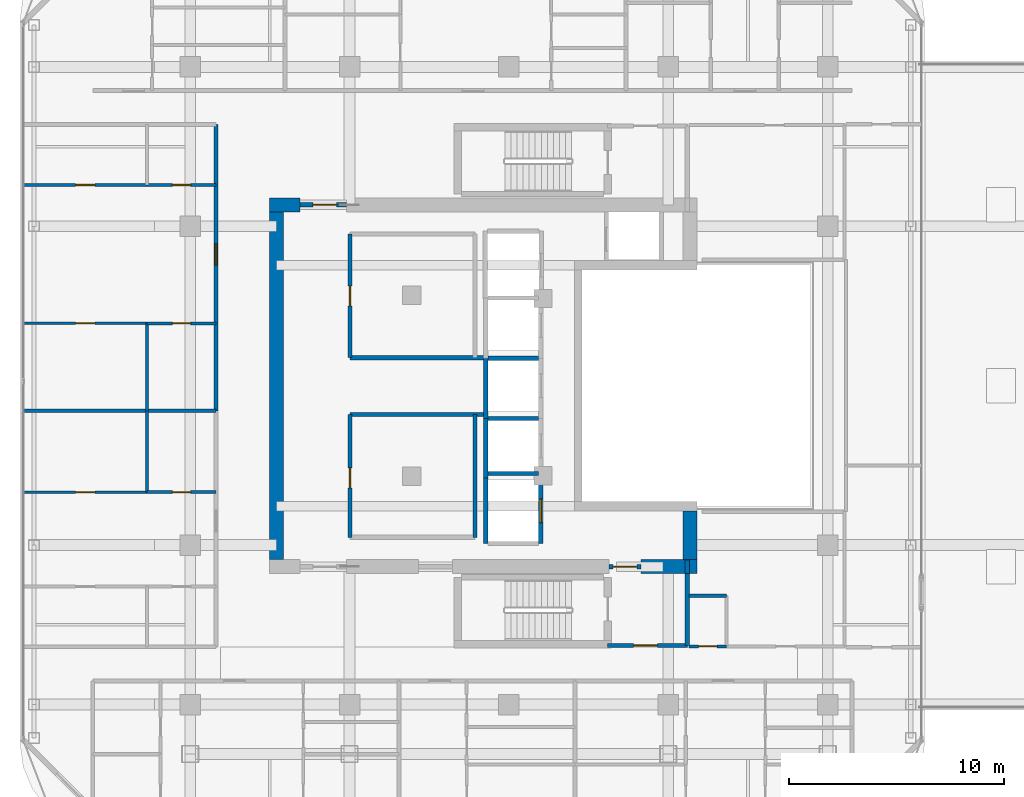
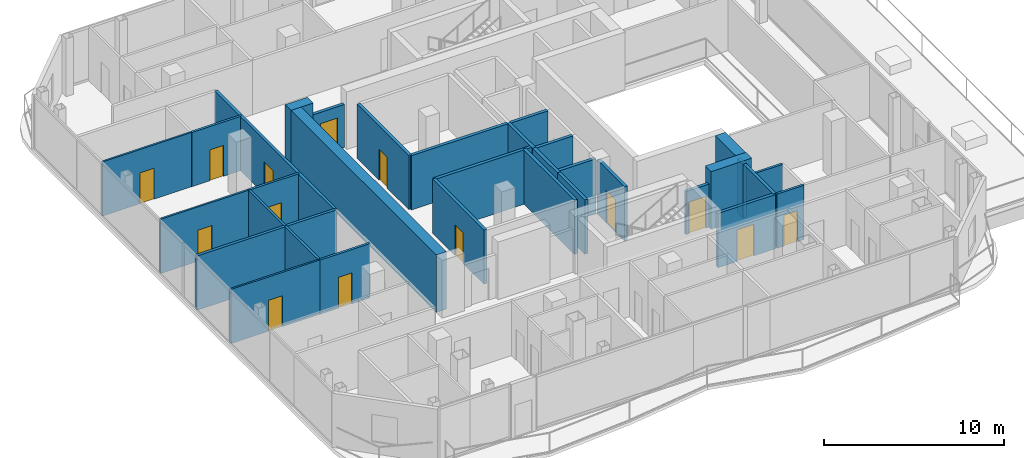
# One storey, part 18 of 24: 33 walls, 14 doors, 14 openings.
"""IFC4 building model written with IfcOpenShell, lengths in metres."""

from ifc_helpers import new_model, si_unit, direction, frame, frame_2d, origin, place, context, subcontext, project, spatial, rectangle, extrude, material, layer, layer_set, type_object, element, fill, save


model = new_model("IFC4")

# Units and contexts
model_context = context("Model", 3, precision=1e-05, world=origin(), true_north=direction((0.0, 1.0)))
body_context = subcontext(model_context, "Body", "Model", "MODEL_VIEW")
ifc_project = project(units=[si_unit("LENGTHUNIT", "METRE"), si_unit("AREAUNIT", "SQUARE_METRE"), si_unit("VOLUMEUNIT", "CUBIC_METRE"), si_unit("PLANEANGLEUNIT", "RADIAN"), si_unit("MASSUNIT", "GRAM", prefix="KILO")], contexts=[model_context])

# Site, building, storey
site_placement = place(None, origin())
site = spatial("IfcSite", under=ifc_project, at=site_placement, CompositionType="ELEMENT")
building_placement = place(site_placement, origin())
building = spatial("IfcBuilding", under=site, at=building_placement, Name="Khorvyn Point Tower", CompositionType="ELEMENT")
storey_placement = place(building_placement, frame((0.0, 0.0, 285.89990234375)))
storey = spatial("IfcBuildingStorey", under=building, at=storey_placement, Name="L70", CompositionType="ELEMENT", Elevation=285.89990234375)

# Wall, opening, door
ifc_material_1 = material(Name="Double acoustic gypsum on twin steel stud", Category="steel")
ifc_layer_1 = layer(ifc_material_1, 0.179931640625)
ifc_layer_set_1 = layer_set([ifc_layer_1], Name="Acoustic Double-Stud Apartment Demising Wall 180")
wall_type_1 = type_object("IfcWallType", Name="Acoustic Double-Stud Apartment Demising Wall 180", PredefinedType="PARTITIONING", material=ifc_layer_set_1)
wall_1_placement = place(storey_placement, frame((-13.60009765625, -1.1640625, 0.0), z_axis=(0.0, 0.0, 1.0), x_axis=(0.0, 1.0, 0.0)))
wall_1 = element("IfcWall", 1, at=wall_1_placement, inside=storey, type_object=wall_type_1, Name="Wall", PredefinedType="PARTITIONING", context=body_context, shape_type="SweptSolid", body=[
    extrude(rectangle(XDim=13.2841796875, YDim=0.179931640625, at=frame_2d((6.64208984375, 0.0))), origin(), (0.0, 0.0, 1.0), 3.68017578125),
])
opening_1_placement = place(wall_1_placement, frame((6.76708984375, 0.0, 0.0)))
opening_1 = element("IfcOpeningElement", 2, at=opening_1_placement, cuts=wall_1, Name="Opening ID-AP60", PredefinedType="OPENING", context=body_context, shape_type="SweptSolid", body=[
    extrude(rectangle(XDim=1.0, YDim=2.199951171875, at=frame_2d((0.5, 1.10009765625))), frame((0.0, 0.099853515625, 0.0), z_axis=(0.0, -1.0, 0.0), x_axis=(1.0, 0.0, 0.0)), (0.0, 0.0, 1.0), 0.199951171875),
])
ifc_material_2 = material(Name="Engineered hardwood fire-rated leaf", Category="wood")
door_type_1 = type_object("IfcDoorType", Name="Acoustic Solid-Core Timber Apartment Entrance Door 1000x2200", OperationType="NOTDEFINED", PredefinedType="DOOR", material=ifc_material_2)
door_1_placement = place(opening_1_placement, origin())
door_1 = element("IfcDoor", 3, at=door_1_placement, inside=storey, type_object=door_type_1, Name="Door", OperationType="SINGLE_SWING_LEFT", OverallHeight=2.199951171875, OverallWidth=1.0, PredefinedType="DOOR", context=body_context, shape_type="SweptSolid", body=[
    extrude(rectangle(XDim=1.0, YDim=2.199951171875, at=frame_2d((0.5, 1.10009765625))), frame((0.0, 0.02490234375, 0.0), z_axis=(0.0, -1.0, 0.0), x_axis=(1.0, 0.0, 0.0)), (0.0, 0.0, 1.0), 0.050048828125),
])
fill(opening_1, door_1)

# Walls
wall_2_placement = place(storey_placement, frame((-22.530029296875, -1.1640625, 0.0), z_axis=(0.0, 0.0, 1.0), x_axis=(1.0, 0.0, 0.0)))
element("IfcWall", 4, at=wall_2_placement, inside=storey, type_object=wall_type_1, Name="Wall", PredefinedType="PARTITIONING", context=body_context, shape_type="SweptSolid", body=[
    extrude(rectangle(XDim=8.929931640625, YDim=0.179931640625, at=frame_2d((4.46484375, 0.0))), origin(), (0.0, 0.0, 1.0), 3.68017578125),
])
ifc_material_3 = material(Name="Concrete C40/50", Category="concrete")
ifc_layer_2 = layer(ifc_material_3, 0.64990234375)
ifc_layer_set_2 = layer_set([ifc_layer_2], Name="Concrete C40/50 Core Shear Wall 650")
wall_type_2 = type_object("IfcWallType", Name="Concrete C40/50 Core Shear Wall 650", PredefinedType="SHEAR", material=ifc_layer_set_2)
wall_3_placement = place(storey_placement, frame((6.1201171875, -8.39990234375, 0.0), z_axis=(0.0, 0.0, 1.0), x_axis=(1.0, 0.0, 0.0)))
element("IfcWall", 5, at=wall_3_placement, inside=storey, type_object=wall_type_2, Name="Wall", PredefinedType="SHEAR", context=body_context, shape_type="SweptSolid", body=[
    extrude(rectangle(XDim=2.60498046875, YDim=0.64990234375, at=frame_2d((1.302490234375, 0.0))), origin(), (0.0, 0.0, 1.0), 3.900146484375),
])
wall_4_placement = place(storey_placement, frame((-11.125, 8.39990234375, 0.0), z_axis=(0.0, 0.0, 1.0), x_axis=(1.0, 0.0, 0.0)))
element("IfcWall", 6, at=wall_4_placement, inside=storey, type_object=wall_type_2, Name="Wall", PredefinedType="SHEAR", context=body_context, shape_type="SweptSolid", body=[
    extrude(rectangle(XDim=1.425048828125, YDim=0.64990234375, at=frame_2d((0.71240234375, 0.0))), origin(), (0.0, 0.0, 1.0), 3.900146484375),
])
wall_5_placement = place(storey_placement, frame((-10.800048828125, -8.074951171875, 0.0), z_axis=(0.0, 0.0, 1.0), x_axis=(0.0, 1.0, 0.0)))
element("IfcWall", 7, at=wall_5_placement, inside=storey, type_object=wall_type_2, Name="Wall", PredefinedType="SHEAR", context=body_context, shape_type="SweptSolid", body=[
    extrude(rectangle(XDim=16.14990234375, YDim=0.64990234375, at=frame_2d((8.074951171875, 0.0))), origin(), (0.0, 0.0, 1.0), 3.900146484375),
])
wall_6_placement = place(storey_placement, frame((8.39990234375, -8.074951171875, 0.0), z_axis=(0.0, 0.0, 1.0), x_axis=(0.0, 1.0, 0.0)))
element("IfcWall", 8, at=wall_6_placement, inside=storey, type_object=wall_type_2, Name="Wall", PredefinedType="SHEAR", context=body_context, shape_type="SweptSolid", body=[
    extrude(rectangle(XDim=2.25, YDim=0.64990234375, at=frame_2d((1.125, 0.0))), origin(), (0.0, 0.0, 1.0), 3.900146484375),
])

# Wall, opening, door
ifc_layer_3 = layer(ifc_material_3, 0.199951171875)
ifc_layer_set_3 = layer_set([ifc_layer_3], Name="Concrete C40/50 Fire-Lobby Compartment Wall 200")
wall_type_3 = type_object("IfcWallType", Name="Concrete C40/50 Fire-Lobby Compartment Wall 200", PredefinedType="SOLIDWALL", material=ifc_layer_set_3)
wall_7_placement = place(storey_placement, frame((4.580078125, -12.06005859375, 0.0), z_axis=(0.0, 0.0, 1.0), x_axis=(1.0, 0.0, 0.0)))
wall_7 = element("IfcWall", 9, at=wall_7_placement, inside=storey, type_object=wall_type_3, Name="Wall", PredefinedType="SOLIDWALL", context=body_context, shape_type="SweptSolid", body=[
    extrude(rectangle(XDim=3.699951171875, YDim=0.199951171875, at=frame_2d((1.85009765625, 0.0))), origin(), (0.0, 0.0, 1.0), 3.68017578125),
])
opening_2_placement = place(wall_7_placement, frame((1.21240234375, 0.0, 0.0)))
opening_2 = element("IfcOpeningElement", 10, at=opening_2_placement, cuts=wall_7, Name="Opening ID-FL90", PredefinedType="OPENING", context=body_context, shape_type="SweptSolid", body=[
    extrude(rectangle(XDim=1.10009765625, YDim=2.14990234375, at=frame_2d((0.550048828125, 1.074951171875))), frame((0.0, 0.10986328125, 0.0), z_axis=(0.0, -1.0, 0.0), x_axis=(1.0, 0.0, 0.0)), (0.0, 0.0, 1.0), 0.219970703125),
])
ifc_material_4 = material(Name="Galvanised powder-coated steel", Category="steel")
door_type_2 = type_object("IfcDoorType", Name="Fire-Rated Steel Lobby and Stair Door 1100x2150", OperationType="NOTDEFINED", PredefinedType="DOOR", material=ifc_material_4)
door_2_placement = place(opening_2_placement, origin())
door_2 = element("IfcDoor", 11, at=door_2_placement, inside=storey, type_object=door_type_2, Name="Door", OperationType="SINGLE_SWING_LEFT", OverallHeight=2.14990234375, OverallWidth=1.10009765625, PredefinedType="DOOR", context=body_context, shape_type="SweptSolid", body=[
    extrude(rectangle(XDim=1.10009765625, YDim=2.14990234375, at=frame_2d((0.550048828125, 1.074951171875))), frame((0.0, 0.02490234375, 0.0), z_axis=(0.0, -1.0, 0.0), x_axis=(1.0, 0.0, 0.0)), (0.0, 0.0, 1.0), 0.050048828125),
])
fill(opening_2, door_2)

wall_8_placement = place(storey_placement, frame((4.64990234375, -8.39990234375, 0.0), z_axis=(0.0, 0.0, 1.0), x_axis=(1.0, 0.0, 0.0)))
wall_8 = element("IfcWall", 12, at=wall_8_placement, inside=storey, type_object=wall_type_3, Name="Wall", PredefinedType="SOLIDWALL", context=body_context, shape_type="SweptSolid", body=[
    extrude(rectangle(XDim=1.47021484375, YDim=0.199951171875, at=frame_2d((0.735107421875, 0.0))), origin(), (0.0, 0.0, 1.0), 2.920166015625),
])
opening_3_placement = place(wall_8_placement, frame((0.18505859375, 0.0, 0.0)))
opening_3 = element("IfcOpeningElement", 13, at=opening_3_placement, cuts=wall_8, Name="Opening ID-FL90", PredefinedType="OPENING", context=body_context, shape_type="SweptSolid", body=[
    extrude(rectangle(XDim=1.10009765625, YDim=2.14990234375, at=frame_2d((0.550048828125, 1.074951171875))), frame((0.0, 0.10986328125, 0.0), z_axis=(0.0, -1.0, 0.0), x_axis=(1.0, 0.0, 0.0)), (0.0, 0.0, 1.0), 0.219970703125),
])
door_3_placement = place(opening_3_placement, origin())
door_3 = element("IfcDoor", 14, at=door_3_placement, inside=storey, type_object=door_type_2, Name="Door", OperationType="SINGLE_SWING_RIGHT", OverallHeight=2.14990234375, OverallWidth=1.10009765625, PredefinedType="DOOR", context=body_context, shape_type="SweptSolid", body=[
    extrude(rectangle(XDim=1.10009765625, YDim=2.14990234375, at=frame_2d((0.550048828125, 1.074951171875))), frame((0.0, 0.02490234375, 0.0), z_axis=(0.0, -1.0, 0.0), x_axis=(1.0, 0.0, 0.0)), (0.0, 0.0, 1.0), 0.050048828125),
])
fill(opening_3, door_3)

wall_9_placement = place(storey_placement, frame((-9.699951171875, 8.39990234375, 0.0), z_axis=(0.0, 0.0, 1.0), x_axis=(1.0, 0.0, 0.0)))
wall_9 = element("IfcWall", 15, at=wall_9_placement, inside=storey, type_object=wall_type_3, Name="Wall", PredefinedType="SOLIDWALL", context=body_context, shape_type="SweptSolid", body=[
    extrude(rectangle(XDim=2.14990234375, YDim=0.199951171875, at=frame_2d((1.074951171875, 0.0))), origin(), (0.0, 0.0, 1.0), 2.920166015625),
])
opening_4_placement = place(wall_9_placement, frame((0.597900390625, 0.0, 0.0)))
opening_4 = element("IfcOpeningElement", 16, at=opening_4_placement, cuts=wall_9, Name="Opening ID-FL90", PredefinedType="OPENING", context=body_context, shape_type="SweptSolid", body=[
    extrude(rectangle(XDim=1.10009765625, YDim=2.14990234375, at=frame_2d((0.550048828125, 1.074951171875))), frame((0.0, 0.10986328125, 0.0), z_axis=(0.0, -1.0, 0.0), x_axis=(1.0, 0.0, 0.0)), (0.0, 0.0, 1.0), 0.219970703125),
])
door_4_placement = place(opening_4_placement, origin())
door_4 = element("IfcDoor", 17, at=door_4_placement, inside=storey, type_object=door_type_2, Name="Door", OperationType="SINGLE_SWING_LEFT", OverallHeight=2.14990234375, OverallWidth=1.10009765625, PredefinedType="DOOR", context=body_context, shape_type="SweptSolid", body=[
    extrude(rectangle(XDim=1.10009765625, YDim=2.14990234375, at=frame_2d((0.550048828125, 1.074951171875))), frame((0.0, 0.02490234375, 0.0), z_axis=(0.0, -1.0, 0.0), x_axis=(1.0, 0.0, 0.0)), (0.0, 0.0, 1.0), 0.050048828125),
])
fill(opening_4, door_4)

wall_10_placement = place(storey_placement, frame((-7.3798828125, -7.0400390625, 0.0), z_axis=(0.0, 0.0, 1.0), x_axis=(0.0, 1.0, 0.0)))
wall_10 = element("IfcWall", 18, at=wall_10_placement, inside=storey, type_object=wall_type_3, Name="Wall", PredefinedType="SOLIDWALL", context=body_context, shape_type="SweptSolid", body=[
    extrude(rectangle(XDim=5.699951171875, YDim=0.199951171875, at=frame_2d((2.85009765625, 0.0))), origin(), (0.0, 0.0, 1.0), 3.68017578125),
])
opening_5_placement = place(wall_10_placement, frame((2.30078125, 0.0, 0.0)))
opening_5 = element("IfcOpeningElement", 19, at=opening_5_placement, cuts=wall_10, Name="Opening ID-RS60", PredefinedType="OPENING", context=body_context, shape_type="SweptSolid", body=[
    extrude(rectangle(XDim=0.919921875, YDim=2.10009765625, at=frame_2d((0.4599609375, 1.050048828125))), frame((0.0, 0.10986328125, 0.0), z_axis=(0.0, -1.0, 0.0), x_axis=(1.0, 0.0, 0.0)), (0.0, 0.0, 1.0), 0.219970703125),
])
door_type_3 = type_object("IfcDoorType", Name="Fire-Rated Riser and Store Steel Door 920x2100", OperationType="NOTDEFINED", PredefinedType="DOOR", material=ifc_material_4)
door_5_placement = place(opening_5_placement, origin())
door_5 = element("IfcDoor", 20, at=door_5_placement, inside=storey, type_object=door_type_3, Name="Door", OperationType="SINGLE_SWING_RIGHT", OverallHeight=2.10009765625, OverallWidth=0.919921875, PredefinedType="DOOR", context=body_context, shape_type="SweptSolid", body=[
    extrude(rectangle(XDim=0.919921875, YDim=2.10009765625, at=frame_2d((0.4599609375, 1.050048828125))), frame((0.0, 0.02490234375, 0.0), z_axis=(0.0, -1.0, 0.0), x_axis=(1.0, 0.0, 0.0)), (0.0, 0.0, 1.0), 0.050048828125),
])
fill(opening_5, door_5)

wall_11_placement = place(storey_placement, frame((-7.3798828125, 1.300048828125, 0.0), z_axis=(0.0, 0.0, 1.0), x_axis=(0.0, 1.0, 0.0)))
wall_11 = element("IfcWall", 21, at=wall_11_placement, inside=storey, type_object=wall_type_3, Name="Wall", PredefinedType="SOLIDWALL", context=body_context, shape_type="SweptSolid", body=[
    extrude(rectangle(XDim=5.739990234375, YDim=0.199951171875, at=frame_2d((2.8701171875, 0.0))), origin(), (0.0, 0.0, 1.0), 3.68017578125),
])
opening_6_placement = place(wall_11_placement, frame((2.409912109375, 0.0, 0.0)))
opening_6 = element("IfcOpeningElement", 22, at=opening_6_placement, cuts=wall_11, Name="Opening ID-RS60", PredefinedType="OPENING", context=body_context, shape_type="SweptSolid", body=[
    extrude(rectangle(XDim=0.919921875, YDim=2.10009765625, at=frame_2d((0.4599609375, 1.050048828125))), frame((0.0, 0.10986328125, 0.0), z_axis=(0.0, -1.0, 0.0), x_axis=(1.0, 0.0, 0.0)), (0.0, 0.0, 1.0), 0.219970703125),
])
door_6_placement = place(opening_6_placement, origin())
door_6 = element("IfcDoor", 23, at=door_6_placement, inside=storey, type_object=door_type_3, Name="Door", OperationType="SINGLE_SWING_LEFT", OverallHeight=2.10009765625, OverallWidth=0.919921875, PredefinedType="DOOR", context=body_context, shape_type="SweptSolid", body=[
    extrude(rectangle(XDim=0.919921875, YDim=2.10009765625, at=frame_2d((0.4599609375, 1.050048828125))), frame((0.0, 0.02490234375, 0.0), z_axis=(0.0, -1.0, 0.0), x_axis=(1.0, 0.0, 0.0)), (0.0, 0.0, 1.0), 0.050048828125),
])
fill(opening_6, door_6)

# Walls
wall_12_placement = place(storey_placement, frame((8.280029296875, -12.06005859375, 0.0), z_axis=(0.0, 0.0, 1.0), x_axis=(0.0, 1.0, 0.0)))
element("IfcWall", 24, at=wall_12_placement, inside=storey, type_object=wall_type_3, Name="Wall", PredefinedType="SOLIDWALL", context=body_context, shape_type="SweptSolid", body=[
    extrude(rectangle(XDim=3.3349609375, YDim=0.199951171875, at=frame_2d((1.66748046875, 0.0))), origin(), (0.0, 0.0, 1.0), 3.68017578125),
])
for number, where, z_axis, x_axis, name in (
    (25, (-7.3798828125, -1.340087890625, 0.0), (0.0, 0.0, 1.0), (1.0, 0.0, 0.0), "Wall"),
    (26, (-7.3798828125, 1.300048828125, 0.0), (0.0, 0.0, 1.0), (1.0, 0.0, 0.0), "Wall"),
):
    element("IfcWall", number, at=place(storey_placement, frame(where, z_axis=z_axis, x_axis=x_axis)), inside=storey, type_object=wall_type_3, Name=name, PredefinedType="SOLIDWALL", context=body_context, shape_type="SweptSolid", body=[
        extrude(rectangle(XDim=6.239990234375, YDim=0.199951171875, at=frame_2d((3.1201171875, 0.0))), origin(), (0.0, 0.0, 1.0), 3.68017578125),
    ])
wall_13_placement = place(storey_placement, frame((-1.580078125, -7.0400390625, 0.0), z_axis=(0.0, 0.0, 1.0), x_axis=(0.0, 1.0, 0.0)))
element("IfcWall", 27, at=wall_13_placement, inside=storey, type_object=wall_type_3, Name="Wall", PredefinedType="SOLIDWALL", context=body_context, shape_type="SweptSolid", body=[
    extrude(rectangle(XDim=5.699951171875, YDim=0.199951171875, at=frame_2d((2.85009765625, 0.0))), origin(), (0.0, 0.0, 1.0), 3.68017578125),
])
wall_14_placement = place(storey_placement, frame((8.280029296875, -8.72509765625, 0.0), z_axis=(0.0, 0.0, 1.0), x_axis=(0.0, 1.0, 0.0)))
element("IfcWall", 28, at=wall_14_placement, inside=storey, type_object=wall_type_3, Name="Wall", PredefinedType="SOLIDWALL", context=body_context, shape_type="SweptSolid", body=[
    extrude(rectangle(XDim=0.625, YDim=0.199951171875, at=frame_2d((0.3125, 0.0))), origin(), (0.0, 0.0, 1.0), 3.68017578125),
])
ifc_layer_4 = layer(ifc_material_3, 0.199951171875)
ifc_layer_set_4 = layer_set([ifc_layer_4], Name="Concrete C40/50 Structural Hoistway and Stair Shaft Wall 200")
wall_type_4 = type_object("IfcWallType", Name="Concrete C40/50 Structural Hoistway and Stair Shaft Wall 200", PredefinedType="SHEAR", material=ifc_layer_set_4)
wall_15_placement = place(storey_placement, frame((-1.074951171875, -4.27490234375, 0.0), z_axis=(0.0, 0.0, 1.0), x_axis=(0.0, 1.0, 0.0)))
element("IfcWall", 29, at=wall_15_placement, inside=storey, type_object=wall_type_4, Name="Wall", PredefinedType="SHEAR", context=body_context, shape_type="SweptSolid", body=[
    extrude(rectangle(XDim=2.75, YDim=0.199951171875, at=frame_2d((1.375, 0.0))), origin(), (0.0, 0.0, 1.0), 3.68017578125),
])
for number, where, z_axis, x_axis, name in (
    (30, (-0.97509765625, -4.074951171875, 0.0), (0.0, 0.0, 1.0), (1.0, 0.0, 0.0), "Wall"),
    (31, (-0.97509765625, -1.52490234375, 0.0), (0.0, 0.0, 1.0), (1.0, 0.0, 0.0), "Wall"),
):
    element("IfcWall", number, at=place(storey_placement, frame(where, z_axis=z_axis, x_axis=x_axis)), inside=storey, type_object=wall_type_4, Name=name, PredefinedType="SHEAR", context=body_context, shape_type="SweptSolid", body=[
        extrude(rectangle(XDim=2.35009765625, YDim=0.199951171875, at=frame_2d((1.175048828125, 0.0))), origin(), (0.0, 0.0, 1.0), 3.68017578125),
    ])
wall_16_placement = place(storey_placement, frame((-1.074951171875, -1.52490234375, 0.0), z_axis=(0.0, 0.0, 1.0), x_axis=(0.0, 1.0, 0.0)))
element("IfcWall", 32, at=wall_16_placement, inside=storey, type_object=wall_type_4, Name="Wall", PredefinedType="SHEAR", context=body_context, shape_type="SweptSolid", body=[
    extrude(rectangle(XDim=2.7998046875, YDim=0.199951171875, at=frame_2d((1.39990234375, 0.0))), origin(), (0.0, 0.0, 1.0), 3.68017578125),
])
wall_17_placement = place(storey_placement, frame((-0.97509765625, 1.27490234375, 0.0), z_axis=(0.0, 0.0, 1.0), x_axis=(1.0, 0.0, 0.0)))
element("IfcWall", 33, at=wall_17_placement, inside=storey, type_object=wall_type_4, Name="Wall", PredefinedType="SHEAR", context=body_context, shape_type="SweptSolid", body=[
    extrude(rectangle(XDim=2.35009765625, YDim=0.199951171875, at=frame_2d((1.175048828125, 0.0))), origin(), (0.0, 0.0, 1.0), 3.68017578125),
])
wall_18_placement = place(storey_placement, frame((-1.074951171875, -7.324951171875, 0.0), z_axis=(0.0, 0.0, 1.0), x_axis=(0.0, 1.0, 0.0)))
element("IfcWall", 34, at=wall_18_placement, inside=storey, type_object=wall_type_4, Name="Wall", PredefinedType="SHEAR", context=body_context, shape_type="SweptSolid", body=[
    extrude(rectangle(XDim=3.050048828125, YDim=0.199951171875, at=frame_2d((1.52490234375, 0.0))), origin(), (0.0, 0.0, 1.0), 3.68017578125),
])

# Wall, opening, door
wall_19_placement = place(storey_placement, frame((1.47509765625, -7.324951171875, 0.0), z_axis=(0.0, 0.0, 1.0), x_axis=(0.0, 1.0, 0.0)))
wall_19 = element("IfcWall", 35, at=wall_19_placement, inside=storey, type_object=wall_type_4, Name="Wall", PredefinedType="SHEAR", context=body_context, shape_type="SweptSolid", body=[
    extrude(rectangle(XDim=3.050048828125, YDim=0.199951171875, at=frame_2d((1.52490234375, 0.0))), origin(), (0.0, 0.0, 1.0), 3.68017578125),
])
opening_7_placement = place(wall_19_placement, frame((0.97509765625, 0.0, 0.0)))
opening_7 = element("IfcOpeningElement", 36, at=opening_7_placement, cuts=wall_19, Name="Opening LD-1122", PredefinedType="OPENING", context=body_context, shape_type="SweptSolid", body=[
    extrude(rectangle(XDim=1.10009765625, YDim=2.199951171875, at=frame_2d((0.550048828125, 1.10009765625))), frame((0.0, 0.10986328125, 0.0), z_axis=(0.0, -1.0, 0.0), x_axis=(1.0, 0.0, 0.0)), (0.0, 0.0, 1.0), 0.219970703125),
])
ifc_material_5 = material(Name="Stainless steel 1.4301", Category="steel")
door_type_4 = type_object("IfcDoorType", Name="Stainless Steel Automatic Sliding Lift Landing Door 1100x2200", OperationType="SLIDING_TO_LEFT", PredefinedType="DOOR", material=ifc_material_5)
door_7_placement = place(opening_7_placement, origin())
door_7 = element("IfcDoor", 37, at=door_7_placement, inside=storey, type_object=door_type_4, Name="L70 FF-01 Sliding Lift Landing Door", OperationType="SLIDING_TO_LEFT", OverallHeight=2.199951171875, OverallWidth=1.10009765625, PredefinedType="DOOR", context=body_context, shape_type="SweptSolid", body=[
    extrude(rectangle(XDim=1.10009765625, YDim=2.199951171875, at=frame_2d((0.550048828125, 1.10009765625))), frame((0.0, 0.02490234375, 0.0), z_axis=(0.0, -1.0, 0.0), x_axis=(1.0, 0.0, 0.0)), (0.0, 0.0, 1.0), 0.050048828125),
])
fill(opening_7, door_7)

ifc_material_6 = material(Name="Gypsum plasterboard on steel stud", Category="steel")
ifc_layer_5 = layer(ifc_material_6, 0.1201171875)
ifc_layer_set_5 = layer_set([ifc_layer_5], Name="Gypsum Acoustic Stud Room Partition Wall 120")
wall_type_5 = type_object("IfcWallType", Name="Gypsum Acoustic Stud Room Partition Wall 120", PredefinedType="PARTITIONING", material=ifc_layer_set_5)
wall_20_placement = place(storey_placement, frame((-22.530029296875, -4.93896484375, 0.0), z_axis=(0.0, 0.0, 1.0), x_axis=(1.0, 0.0, 0.0)))
wall_20 = element("IfcWall", 38, at=wall_20_placement, inside=storey, type_object=wall_type_5, Name="Wall", PredefinedType="PARTITIONING", context=body_context, shape_type="SweptSolid", body=[
    extrude(rectangle(XDim=5.720947265625, YDim=0.1201171875, at=frame_2d((2.8603515625, 0.0))), origin(), (0.0, 0.0, 1.0), 3.68017578125),
])
opening_8_placement = place(wall_20_placement, frame((2.410400390625, 0.0, 0.0)))
opening_8 = element("IfcOpeningElement", 39, at=opening_8_placement, cuts=wall_20, Name="Opening ID-RM90", PredefinedType="OPENING", context=body_context, shape_type="SweptSolid", body=[
    extrude(rectangle(XDim=0.89990234375, YDim=2.10009765625, at=frame_2d((0.449951171875, 1.050048828125))), frame((0.0, 0.070068359375, 0.0), z_axis=(0.0, -1.0, 0.0), x_axis=(1.0, 0.0, 0.0)), (0.0, 0.0, 1.0), 0.14013671875),
])
ifc_material_7 = material(Name="Engineered oak veneer timber", Category="wood")
door_type_5 = type_object("IfcDoorType", Name="Flush Engineered Timber Room Door 900x2100", OperationType="NOTDEFINED", PredefinedType="DOOR", material=ifc_material_7)
door_8_placement = place(opening_8_placement, origin())
door_8 = element("IfcDoor", 40, at=door_8_placement, inside=storey, type_object=door_type_5, Name="Door", OperationType="SINGLE_SWING_RIGHT", OverallHeight=2.10009765625, OverallWidth=0.89990234375, PredefinedType="DOOR", context=body_context, shape_type="SweptSolid", body=[
    extrude(rectangle(XDim=0.89990234375, YDim=2.10009765625, at=frame_2d((0.449951171875, 1.050048828125))), frame((0.0, 0.02490234375, 0.0), z_axis=(0.0, -1.0, 0.0), x_axis=(1.0, 0.0, 0.0)), (0.0, 0.0, 1.0), 0.050048828125),
])
fill(opening_8, door_8)

wall_21_placement = place(storey_placement, frame((-22.530029296875, 2.89404296875, 0.0), z_axis=(0.0, 0.0, 1.0), x_axis=(1.0, 0.0, 0.0)))
wall_21 = element("IfcWall", 41, at=wall_21_placement, inside=storey, type_object=wall_type_5, Name="Wall", PredefinedType="PARTITIONING", context=body_context, shape_type="SweptSolid", body=[
    extrude(rectangle(XDim=5.720947265625, YDim=0.1201171875, at=frame_2d((2.8603515625, 0.0))), origin(), (0.0, 0.0, 1.0), 3.68017578125),
])
opening_9_placement = place(wall_21_placement, frame((2.410400390625, 0.0, 0.0)))
opening_9 = element("IfcOpeningElement", 42, at=opening_9_placement, cuts=wall_21, Name="Opening ID-RM90", PredefinedType="OPENING", context=body_context, shape_type="SweptSolid", body=[
    extrude(rectangle(XDim=0.89990234375, YDim=2.10009765625, at=frame_2d((0.449951171875, 1.050048828125))), frame((0.0, 0.070068359375, 0.0), z_axis=(0.0, -1.0, 0.0), x_axis=(1.0, 0.0, 0.0)), (0.0, 0.0, 1.0), 0.14013671875),
])
door_9_placement = place(opening_9_placement, origin())
door_9 = element("IfcDoor", 43, at=door_9_placement, inside=storey, type_object=door_type_5, Name="Door", OperationType="SINGLE_SWING_RIGHT", OverallHeight=2.10009765625, OverallWidth=0.89990234375, PredefinedType="DOOR", context=body_context, shape_type="SweptSolid", body=[
    extrude(rectangle(XDim=0.89990234375, YDim=2.10009765625, at=frame_2d((0.449951171875, 1.050048828125))), frame((0.0, 0.02490234375, 0.0), z_axis=(0.0, -1.0, 0.0), x_axis=(1.0, 0.0, 0.0)), (0.0, 0.0, 1.0), 0.050048828125),
])
fill(opening_9, door_9)

wall_22_placement = place(storey_placement, frame((-22.530029296875, 9.320068359375, 0.0), z_axis=(0.0, 0.0, 1.0), x_axis=(1.0, 0.0, 0.0)))
wall_22 = element("IfcWall", 44, at=wall_22_placement, inside=storey, type_object=wall_type_5, Name="Wall", PredefinedType="PARTITIONING", context=body_context, shape_type="SweptSolid", body=[
    extrude(rectangle(XDim=5.720947265625, YDim=0.1201171875, at=frame_2d((2.8603515625, 0.0))), origin(), (0.0, 0.0, 1.0), 3.68017578125),
])
opening_10_placement = place(wall_22_placement, frame((2.410400390625, 0.0, 0.0)))
opening_10 = element("IfcOpeningElement", 45, at=opening_10_placement, cuts=wall_22, Name="Opening ID-RM90", PredefinedType="OPENING", context=body_context, shape_type="SweptSolid", body=[
    extrude(rectangle(XDim=0.89990234375, YDim=2.10009765625, at=frame_2d((0.449951171875, 1.050048828125))), frame((0.0, 0.070068359375, 0.0), z_axis=(0.0, -1.0, 0.0), x_axis=(1.0, 0.0, 0.0)), (0.0, 0.0, 1.0), 0.14013671875),
])
door_10_placement = place(opening_10_placement, origin())
door_10 = element("IfcDoor", 46, at=door_10_placement, inside=storey, type_object=door_type_5, Name="Door", OperationType="SINGLE_SWING_LEFT", OverallHeight=2.10009765625, OverallWidth=0.89990234375, PredefinedType="DOOR", context=body_context, shape_type="SweptSolid", body=[
    extrude(rectangle(XDim=0.89990234375, YDim=2.10009765625, at=frame_2d((0.449951171875, 1.050048828125))), frame((0.0, 0.02490234375, 0.0), z_axis=(0.0, -1.0, 0.0), x_axis=(1.0, 0.0, 0.0)), (0.0, 0.0, 1.0), 0.050048828125),
])
fill(opening_10, door_10)

ifc_material_8 = material(Name="Moisture-resistant gypsum and cement board", Category="gypsum")
ifc_layer_6 = layer(ifc_material_8, 0.14990234375)
ifc_layer_set_6 = layer_set([ifc_layer_6], Name="Moisture-Resistant Wet-Room Partition Wall 150")
wall_type_6 = type_object("IfcWallType", Name="Moisture-Resistant Wet-Room Partition Wall 150", PredefinedType="PARTITIONING", material=ifc_layer_set_6)
wall_23_placement = place(storey_placement, frame((8.360107421875, -12.10009765625, 0.0), z_axis=(0.0, 0.0, 1.0), x_axis=(1.0, 0.0, 0.0)))
wall_23 = element("IfcWall", 47, at=wall_23_placement, inside=storey, type_object=wall_type_6, Name="Wall", PredefinedType="PARTITIONING", context=body_context, shape_type="SweptSolid", body=[
    extrude(rectangle(XDim=1.739990234375, YDim=0.14990234375, at=frame_2d((0.8701171875, 0.0))), origin(), (0.0, 0.0, 1.0), 3.68017578125),
])
opening_11_placement = place(wall_23_placement, frame((0.445068359375, 0.0, 0.0)))
opening_11 = element("IfcOpeningElement", 48, at=opening_11_placement, cuts=wall_23, Name="Opening ID-WC85", PredefinedType="OPENING", context=body_context, shape_type="SweptSolid", body=[
    extrude(rectangle(XDim=0.85009765625, YDim=2.10009765625, at=frame_2d((0.425048828125, 1.050048828125))), frame((0.0, 0.0849609375, 0.0), z_axis=(0.0, -1.0, 0.0), x_axis=(1.0, 0.0, 0.0)), (0.0, 0.0, 1.0), 0.169921875),
])
ifc_material_9 = material(Name="High-pressure laminate on moisture-resistant core", Category="wood")
door_type_6 = type_object("IfcDoorType", Name="Moisture-Resistant Accessible Washroom Door 850x2100", OperationType="NOTDEFINED", PredefinedType="DOOR", material=ifc_material_9)
door_11_placement = place(opening_11_placement, origin())
door_11 = element("IfcDoor", 49, at=door_11_placement, inside=storey, type_object=door_type_6, Name="Door", OperationType="SINGLE_SWING_RIGHT", OverallHeight=2.10009765625, OverallWidth=0.85009765625, PredefinedType="DOOR", context=body_context, shape_type="SweptSolid", body=[
    extrude(rectangle(XDim=0.85009765625, YDim=2.10009765625, at=frame_2d((0.425048828125, 1.050048828125))), frame((0.0, 0.02490234375, 0.0), z_axis=(0.0, -1.0, 0.0), x_axis=(1.0, 0.0, 0.0)), (0.0, 0.0, 1.0), 0.050048828125),
])
fill(opening_11, door_11)

wall_24_placement = place(storey_placement, frame((-16.80908203125, -4.93896484375, 0.0), z_axis=(0.0, 0.0, 1.0), x_axis=(1.0, 0.0, 0.0)))
wall_24 = element("IfcWall", 50, at=wall_24_placement, inside=storey, type_object=wall_type_6, Name="Wall", PredefinedType="PARTITIONING", context=body_context, shape_type="SweptSolid", body=[
    extrude(rectangle(XDim=3.208984375, YDim=0.14990234375, at=frame_2d((1.6044921875, 0.0))), origin(), (0.0, 0.0, 1.0), 3.68017578125),
])
opening_12_placement = place(wall_24_placement, frame((1.179443359375, 0.0, 0.0)))
opening_12 = element("IfcOpeningElement", 51, at=opening_12_placement, cuts=wall_24, Name="Opening ID-WC85", PredefinedType="OPENING", context=body_context, shape_type="SweptSolid", body=[
    extrude(rectangle(XDim=0.85009765625, YDim=2.10009765625, at=frame_2d((0.425048828125, 1.050048828125))), frame((0.0, 0.0849609375, 0.0), z_axis=(0.0, -1.0, 0.0), x_axis=(1.0, 0.0, 0.0)), (0.0, 0.0, 1.0), 0.169921875),
])
door_12_placement = place(opening_12_placement, origin())
door_12 = element("IfcDoor", 52, at=door_12_placement, inside=storey, type_object=door_type_6, Name="Door", OperationType="SINGLE_SWING_LEFT", OverallHeight=2.10009765625, OverallWidth=0.85009765625, PredefinedType="DOOR", context=body_context, shape_type="SweptSolid", body=[
    extrude(rectangle(XDim=0.85009765625, YDim=2.10009765625, at=frame_2d((0.425048828125, 1.050048828125))), frame((0.0, 0.02490234375, 0.0), z_axis=(0.0, -1.0, 0.0), x_axis=(1.0, 0.0, 0.0)), (0.0, 0.0, 1.0), 0.050048828125),
])
fill(opening_12, door_12)

wall_25_placement = place(storey_placement, frame((-16.80908203125, 9.320068359375, 0.0), z_axis=(0.0, 0.0, 1.0), x_axis=(1.0, 0.0, 0.0)))
wall_25 = element("IfcWall", 53, at=wall_25_placement, inside=storey, type_object=wall_type_6, Name="Wall", PredefinedType="PARTITIONING", context=body_context, shape_type="SweptSolid", body=[
    extrude(rectangle(XDim=3.208984375, YDim=0.14990234375, at=frame_2d((1.6044921875, 0.0))), origin(), (0.0, 0.0, 1.0), 3.68017578125),
])
opening_13_placement = place(wall_25_placement, frame((1.179443359375, 0.0, 0.0)))
opening_13 = element("IfcOpeningElement", 54, at=opening_13_placement, cuts=wall_25, Name="Opening ID-WC85", PredefinedType="OPENING", context=body_context, shape_type="SweptSolid", body=[
    extrude(rectangle(XDim=0.85009765625, YDim=2.10009765625, at=frame_2d((0.425048828125, 1.050048828125))), frame((0.0, 0.0849609375, 0.0), z_axis=(0.0, -1.0, 0.0), x_axis=(1.0, 0.0, 0.0)), (0.0, 0.0, 1.0), 0.169921875),
])
door_13_placement = place(opening_13_placement, origin())
door_13 = element("IfcDoor", 55, at=door_13_placement, inside=storey, type_object=door_type_6, Name="Door", OperationType="SINGLE_SWING_RIGHT", OverallHeight=2.10009765625, OverallWidth=0.85009765625, PredefinedType="DOOR", context=body_context, shape_type="SweptSolid", body=[
    extrude(rectangle(XDim=0.85009765625, YDim=2.10009765625, at=frame_2d((0.425048828125, 1.050048828125))), frame((0.0, 0.02490234375, 0.0), z_axis=(0.0, -1.0, 0.0), x_axis=(1.0, 0.0, 0.0)), (0.0, 0.0, 1.0), 0.050048828125),
])
fill(opening_13, door_13)

wall_26_placement = place(storey_placement, frame((-16.80908203125, 2.89404296875, 0.0), z_axis=(0.0, 0.0, 1.0), x_axis=(1.0, 0.0, 0.0)))
wall_26 = element("IfcWall", 56, at=wall_26_placement, inside=storey, type_object=wall_type_6, Name="Wall", PredefinedType="PARTITIONING", context=body_context, shape_type="SweptSolid", body=[
    extrude(rectangle(XDim=3.208984375, YDim=0.14990234375, at=frame_2d((1.6044921875, 0.0))), origin(), (0.0, 0.0, 1.0), 3.68017578125),
])
opening_14_placement = place(wall_26_placement, frame((1.179443359375, 0.0, 0.0)))
opening_14 = element("IfcOpeningElement", 57, at=opening_14_placement, cuts=wall_26, Name="Opening ID-WC85", PredefinedType="OPENING", context=body_context, shape_type="SweptSolid", body=[
    extrude(rectangle(XDim=0.85009765625, YDim=2.10009765625, at=frame_2d((0.425048828125, 1.050048828125))), frame((0.0, 0.0849609375, 0.0), z_axis=(0.0, -1.0, 0.0), x_axis=(1.0, 0.0, 0.0)), (0.0, 0.0, 1.0), 0.169921875),
])
door_14_placement = place(opening_14_placement, origin())
door_14 = element("IfcDoor", 58, at=door_14_placement, inside=storey, type_object=door_type_6, Name="Door", OperationType="SINGLE_SWING_LEFT", OverallHeight=2.10009765625, OverallWidth=0.85009765625, PredefinedType="DOOR", context=body_context, shape_type="SweptSolid", body=[
    extrude(rectangle(XDim=0.85009765625, YDim=2.10009765625, at=frame_2d((0.425048828125, 1.050048828125))), frame((0.0, 0.02490234375, 0.0), z_axis=(0.0, -1.0, 0.0), x_axis=(1.0, 0.0, 0.0)), (0.0, 0.0, 1.0), 0.050048828125),
])
fill(opening_14, door_14)

# Walls
wall_27_placement = place(storey_placement, frame((8.360107421875, -9.75, 0.0), z_axis=(0.0, 0.0, 1.0), x_axis=(1.0, 0.0, 0.0)))
element("IfcWall", 59, at=wall_27_placement, inside=storey, type_object=wall_type_6, Name="Wall", PredefinedType="PARTITIONING", context=body_context, shape_type="SweptSolid", body=[
    extrude(rectangle(XDim=1.739990234375, YDim=0.14990234375, at=frame_2d((0.8701171875, 0.0))), origin(), (0.0, 0.0, 1.0), 3.68017578125),
])
wall_28_placement = place(storey_placement, frame((-16.80908203125, -4.93896484375, 0.0), z_axis=(0.0, 0.0, 1.0), x_axis=(0.0, 1.0, 0.0)))
element("IfcWall", 60, at=wall_28_placement, inside=storey, type_object=wall_type_6, Name="Wall", PredefinedType="PARTITIONING", context=body_context, shape_type="SweptSolid", body=[
    extrude(rectangle(XDim=3.77490234375, YDim=0.14990234375, at=frame_2d((1.887451171875, 0.0))), origin(), (0.0, 0.0, 1.0), 3.68017578125),
])
wall_29_placement = place(storey_placement, frame((-16.80908203125, -1.1640625, 0.0), z_axis=(0.0, 0.0, 1.0), x_axis=(0.0, 1.0, 0.0)))
element("IfcWall", 61, at=wall_29_placement, inside=storey, type_object=wall_type_6, Name="Wall", PredefinedType="PARTITIONING", context=body_context, shape_type="SweptSolid", body=[
    extrude(rectangle(XDim=4.05810546875, YDim=0.14990234375, at=frame_2d((2.029052734375, 0.0))), origin(), (0.0, 0.0, 1.0), 3.68017578125),
])

save(model, "model.ifc")
